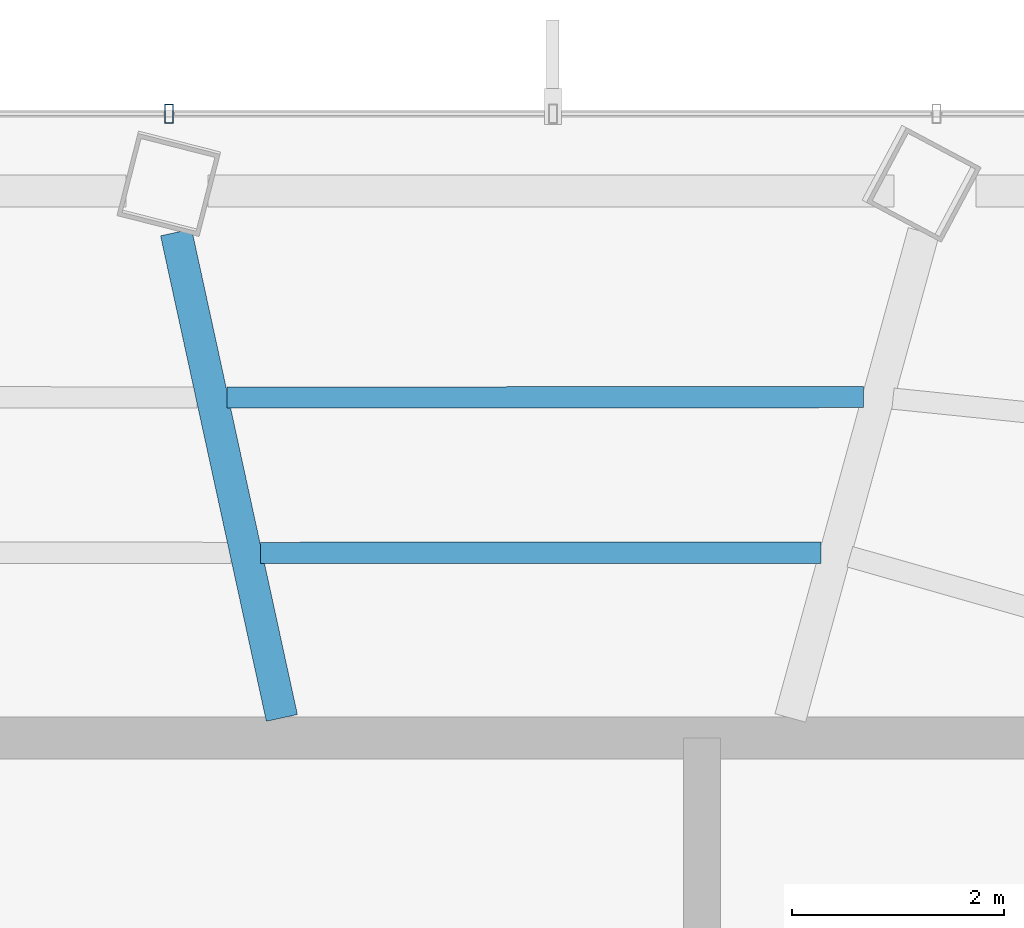
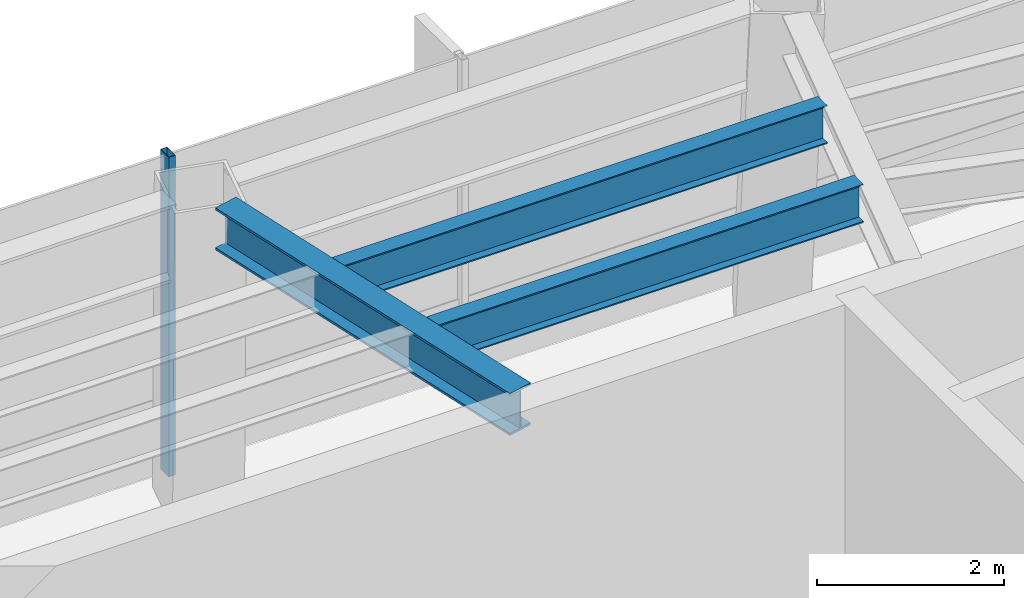
# One storey, part 12 of 25: 3 beams, 1 member, 1 element without a shape of its own.
"""IFC4 building model written with IfcOpenShell, lengths in metres."""

from ifc_helpers import new_model, si_unit, direction, frame, origin, origin_2d, place, context, subcontext, project, spatial, hollow_rectangle, i_section, extrude, material, layer, layer_set, material_profile, profile_set, type_object, element, aggregate, save


model = new_model("IFC4")

# Units and contexts
model_context = context("Model", 3, precision=1e-05, world=origin(), true_north=direction((0.0, 1.0)))
body_context = subcontext(model_context, "Body", "Model", "MODEL_VIEW")
ifc_project = project(units=[si_unit("LENGTHUNIT", "METRE"), si_unit("AREAUNIT", "SQUARE_METRE"), si_unit("VOLUMEUNIT", "CUBIC_METRE"), si_unit("PLANEANGLEUNIT", "RADIAN"), si_unit("MASSUNIT", "GRAM", prefix="KILO")], contexts=[model_context])

# Site, building, storey
site_placement = place(None, origin())
site = spatial("IfcSite", under=ifc_project, at=site_placement, CompositionType="ELEMENT")
building_placement = place(site_placement, origin())
building = spatial("IfcBuilding", under=site, at=building_placement, Name="Zarrinselat Tower", CompositionType="ELEMENT")
storey_placement = place(building_placement, frame((0.0, 0.0, 119.0)))
storey = spatial("IfcBuildingStorey", under=building, at=storey_placement, Name="L28", CompositionType="ELEMENT", Elevation=119.0)

# Beams
ifc_material_1 = material(Name="Steel S355J2", Category="steel")
ifc_material_profile_1 = material_profile(ifc_material_1, i_section(OverallWidth=0.300048828125, OverallDepth=0.550048828125, WebThickness=0.014892578125, FlangeThickness=0.029052734375, at=origin_2d()), Name="HEB 550")
ifc_profile_set_1 = profile_set([ifc_material_profile_1], Name="Steel S355J2")
beam_type_1 = type_object("IfcBeamType", Name="BM-HEB550", PredefinedType="BEAM", material=ifc_profile_set_1)
beam_1_placement = place(storey_placement, frame((40.001220703125, 48.223876953125, 3.905029296875), z_axis=(0.212889795797, -0.977076217521, 0.0), x_axis=(0.977076217521, 0.212889795797, 0.0)))
element("IfcBeam", 1, at=beam_1_placement, inside=storey, type_object=beam_type_1, Name="L28 Radial Primary Girder RG03", PredefinedType="BEAM", context=body_context, shape_type="SweptSolid", body=[
    extrude(i_section(OverallWidth=0.300048828125, OverallDepth=0.550048828125, WebThickness=0.014892578125, FlangeThickness=0.029052734375, at=origin_2d()), origin(), (0.0, 0.0, 1.0), 4.691650390625),
])
ifc_material_2 = material(Name="Steel S355J2", Category="steel")
ifc_material_profile_2 = material_profile(ifc_material_2, i_section(OverallWidth=0.199951171875, OverallDepth=0.5, WebThickness=0.01025390625, FlangeThickness=0.01611328125, at=origin_2d()), Name="IPE 500")
ifc_profile_set_2 = profile_set([ifc_material_profile_2], Name="Steel S355J2")
beam_type_2 = type_object("IfcBeamType", Name="BM-IPE500", PredefinedType="JOIST", material=ifc_profile_set_2)
beam_2_placement = place(storey_placement, frame((40.480712890625, 46.665283203125, 3.929931640625), z_axis=(0.999999838283, 0.000568712586, 0.0), x_axis=(-0.000568712586, 0.999999838283, 0.0)))
element("IfcBeam", 2, at=beam_2_placement, inside=storey, type_object=beam_type_2, Name="L28 Composite Floor Joist 7-1", PredefinedType="JOIST", context=body_context, shape_type="SweptSolid", body=[
    extrude(i_section(OverallWidth=0.199951171875, OverallDepth=0.5, WebThickness=0.01025390625, FlangeThickness=0.01611328125, at=origin_2d()), origin(), (0.0, 0.0, 1.0), 6.010009765625),
])
beam_3_placement = place(storey_placement, frame((40.80029296875, 45.198486328125, 3.929931640625), z_axis=(0.999999947769, 0.000323206189, 0.0), x_axis=(-0.000323206189, 0.999999947769, 0.0)))
element("IfcBeam", 3, at=beam_3_placement, inside=storey, type_object=beam_type_2, Name="L28 Composite Floor Joist 7-2", PredefinedType="JOIST", context=body_context, shape_type="SweptSolid", body=[
    extrude(i_section(OverallWidth=0.199951171875, OverallDepth=0.5, WebThickness=0.01025390625, FlangeThickness=0.01611328125, at=origin_2d()), origin(), (0.0, 0.0, 1.0), 5.28759765625),
])

# Curtain wall, member
ifc_material_3 = material(Name="Extruded Aluminium Alloy EN AW-6063 T6", Category="aluminium")
ifc_layer = layer(ifc_material_3, 0.195068359375)
ifc_layer_set = layer_set([ifc_layer], Name="Extruded Aluminium Alloy EN AW-6063 T6")
curtain_wall_type = type_object("IfcCurtainWallType", Name="CWS-GDN", PredefinedType="NOTDEFINED", material=ifc_layer_set)
curtain_wall_placement = place(storey_placement, origin())
curtain_wall = element("IfcCurtainWall", 4, at=curtain_wall_placement, inside=storey, type_object=curtain_wall_type, Name="L28 Unitised Curtain Wall CW-L28-E04", PredefinedType="NOTDEFINED")
ifc_material_4 = material(Name="Extruded Aluminium Alloy EN AW-6063 T6", Category="aluminium")
ifc_material_profile_3 = material_profile(ifc_material_4, hollow_rectangle(XDim=0.080078125, YDim=0.179931640625, WallThickness=0.0048828125, at=origin_2d()), Name="RHS 180x80x5")
ifc_profile_set_3 = profile_set([ifc_material_profile_3], Name="Extruded Aluminium Alloy EN AW-6063 T6")
member_type = type_object("IfcMemberType", Name="MEM-CW-MUL", PredefinedType="MULLION", material=ifc_profile_set_3)
member_placement = place(storey_placement, frame((39.935302734375, 49.344482421875, 0.0), z_axis=(0.0, 0.0, 1.0), x_axis=(1.0, 0.0, 0.0)))
member = element("IfcMember", 5, at=member_placement, type_object=member_type, Name="CW-L28-E04 Mullion 4", PredefinedType="MULLION", context=body_context, shape_type="SweptSolid", body=[
    extrude(hollow_rectangle(XDim=0.080078125, YDim=0.179931640625, WallThickness=0.0048828125, at=origin_2d()), origin(), (0.0, 0.0, 1.0), 4.179931640625),
])
aggregate(curtain_wall, [member])

save(model, "model.ifc")
